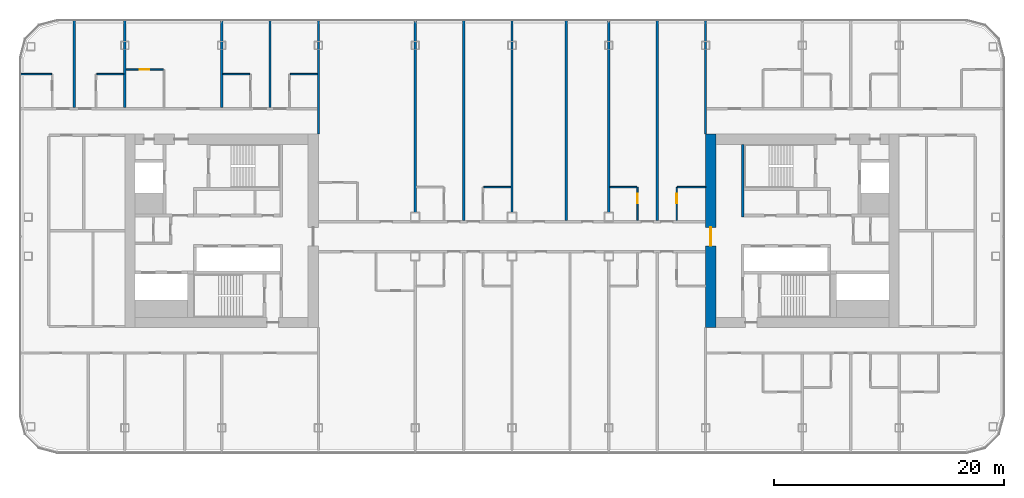
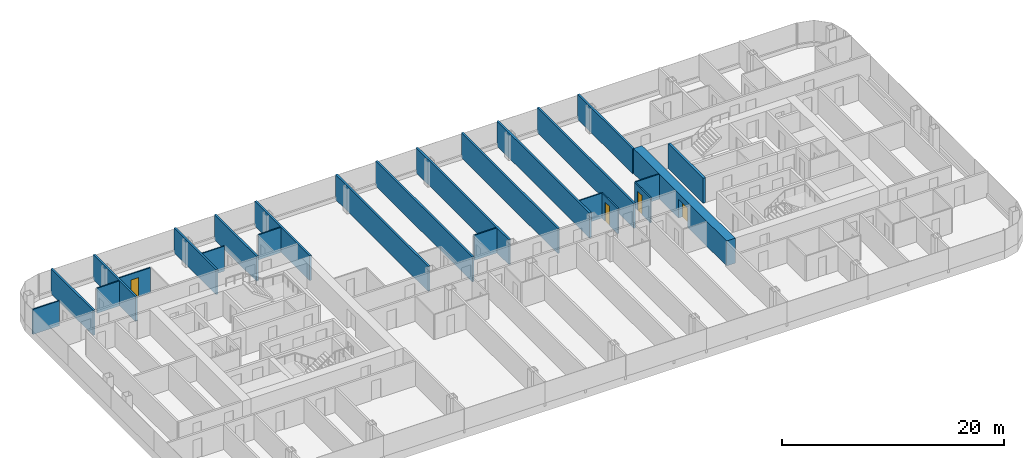
# One storey, part 15 of 26: 24 walls, 4 doors, 4 openings.
"""IFC4 building model written with IfcOpenShell, lengths in metres."""

from ifc_helpers import new_model, si_unit, direction, frame, frame_2d, origin, place, context, subcontext, project, spatial, rectangle, extrude, material, layer, layer_set, type_object, element, fill, save


model = new_model("IFC4")

# Units and contexts
model_context = context("Model", 3, precision=1e-05, world=origin(), true_north=direction((0.0, 1.0)))
body_context = subcontext(model_context, "Body", "Model", "MODEL_VIEW")
ifc_project = project(units=[si_unit("LENGTHUNIT", "METRE"), si_unit("AREAUNIT", "SQUARE_METRE"), si_unit("VOLUMEUNIT", "CUBIC_METRE"), si_unit("PLANEANGLEUNIT", "RADIAN"), si_unit("MASSUNIT", "GRAM", prefix="KILO")], contexts=[model_context])

# Site, building, storey
site_placement = place(None, origin())
site = spatial("IfcSite", under=ifc_project, at=site_placement, CompositionType="ELEMENT")
building_placement = place(site_placement, origin())
building = spatial("IfcBuilding", under=site, at=building_placement, Name="Hakoniwa Tower and Hamabe Station Hall", CompositionType="ELEMENT")
storey_placement = place(building_placement, frame((0.0, 0.0, 153.39990234375)))
storey = spatial("IfcBuildingStorey", under=building, at=storey_placement, Name="L43", CompositionType="ELEMENT", Elevation=153.39990234375)

# Walls
ifc_material_1 = material(Name="Gypsum board partition", Category="gypsum")
ifc_layer_1 = layer(ifc_material_1, 0.125)
ifc_layer_set_1 = layer_set([ifc_layer_1], Name="Bathroom Partition 125")
wall_type_1 = type_object("IfcWallType", Name="Bathroom Partition 125", PredefinedType="PARTITIONING", material=ifc_layer_set_1)
for number, where, z_axis, x_axis, name in (
    (1, (-2.4375, 3.800048828125, 0.0), (0.0, 0.0, 1.0), (1.0, 0.0, 0.0), "GW-L43-019"),
    (2, (8.5, 3.800048828125, 0.0), (0.0, 0.0, 1.0), (1.0, 0.0, 0.0), "GW-L43-020"),
):
    element("IfcWall", number, at=place(storey_placement, frame(where, z_axis=z_axis, x_axis=x_axis)), inside=storey, type_object=wall_type_1, Name=name, PredefinedType="PARTITIONING", context=body_context, shape_type="SweptSolid", body=[
        extrude(rectangle(XDim=2.33740234375, YDim=0.125, at=frame_2d((1.168701171875, 0.0))), origin(), (0.0, 0.0, 1.0), 2.75),
    ])
wall_1_placement = place(storey_placement, frame((14.362548828125, 3.800048828125, 0.0), z_axis=(0.0, 0.0, 1.0), x_axis=(1.0, 0.0, 0.0)))
element("IfcWall", 3, at=wall_1_placement, inside=storey, type_object=wall_type_1, Name="GW-L43-021", PredefinedType="PARTITIONING", context=body_context, shape_type="SweptSolid", body=[
    extrude(rectangle(XDim=2.447509765625, YDim=0.125, at=frame_2d((1.2236328125, 0.0))), origin(), (0.0, 0.0, 1.0), 2.75),
])
wall_2_placement = place(storey_placement, frame((-42.699951171875, 13.60009765625, 0.0), z_axis=(0.0, 0.0, 1.0), x_axis=(1.0, 0.0, 0.0)))
element("IfcWall", 4, at=wall_2_placement, inside=storey, type_object=wall_type_1, Name="GW-L43-027", PredefinedType="PARTITIONING", context=body_context, shape_type="SweptSolid", body=[
    extrude(rectangle(XDim=2.737548828125, YDim=0.125, at=frame_2d((1.36865234375, 0.0))), origin(), (0.0, 0.0, 1.0), 2.75),
])
for number, where, z_axis, x_axis, name in (
    (5, (-36.03759765625, 13.60009765625, 0.0), (0.0, 0.0, 1.0), (1.0, 0.0, 0.0), "GW-L43-028"),
    (6, (-25.10009765625, 13.60009765625, 0.0), (0.0, 0.0, 1.0), (1.0, 0.0, 0.0), "GW-L43-029"),
    (7, (-19.237548828125, 13.60009765625, 0.0), (0.0, 0.0, 1.0), (1.0, 0.0, 0.0), "GW-L43-030"),
):
    element("IfcWall", number, at=place(storey_placement, frame(where, z_axis=z_axis, x_axis=x_axis)), inside=storey, type_object=wall_type_1, Name=name, PredefinedType="PARTITIONING", context=body_context, shape_type="SweptSolid", body=[
        extrude(rectangle(XDim=2.337646484375, YDim=0.125, at=frame_2d((1.1689453125, 0.0))), origin(), (0.0, 0.0, 1.0), 2.75),
    ])

# Wall, opening, door
wall_3_placement = place(storey_placement, frame((-33.5, 14.0, 0.0), z_axis=(0.0, 0.0, 1.0), x_axis=(1.0, 0.0, 0.0)))
wall_3 = element("IfcWall", 8, at=wall_3_placement, inside=storey, type_object=wall_type_1, Name="GW-L43-033", PredefinedType="PARTITIONING", context=body_context, shape_type="SweptSolid", body=[
    extrude(rectangle(XDim=3.237548828125, YDim=0.125, at=frame_2d((1.61865234375, 0.0))), origin(), (0.0, 0.0, 1.0), 2.75),
])
opening_1_placement = place(wall_3_placement, frame((1.199951171875, 0.0, 0.0)))
opening_1 = element("IfcOpeningElement", 9, at=opening_1_placement, cuts=wall_3, Name="Opening GD-G3C1-45", PredefinedType="OPENING", context=body_context, shape_type="SweptSolid", body=[
    extrude(rectangle(XDim=0.800048828125, YDim=2.10009765625, at=frame_2d((0.39990234375, 1.050048828125))), frame((0.0, 0.072509765625, 0.0), z_axis=(0.0, -1.0, 0.0), x_axis=(1.0, 0.0, 0.0)), (0.0, 0.0, 1.0), 0.14501953125),
])
ifc_material_2 = material(Name="Timber door leaf", Category="wood")
door_type_1 = type_object("IfcDoorType", Name="Bathroom Door 800", OperationType="SINGLE_SWING_LEFT", PredefinedType="DOOR", material=ifc_material_2)
door_1_placement = place(opening_1_placement, origin())
door_1 = element("IfcDoor", 10, at=door_1_placement, inside=storey, type_object=door_type_1, Name="Door GD-G3C1-45", OperationType="SINGLE_SWING_LEFT", OverallHeight=2.10009765625, OverallWidth=0.800048828125, PredefinedType="DOOR", context=body_context, shape_type="SweptSolid", body=[
    extrude(rectangle(XDim=0.800048828125, YDim=2.10009765625, at=frame_2d((0.39990234375, 1.050048828125))), frame((0.0, 0.02490234375, 0.0), z_axis=(0.0, -1.0, 0.0), x_axis=(1.0, 0.0, 0.0)), (0.0, 0.0, 1.0), 0.050048828125),
])
fill(opening_1, door_1)

wall_4_placement = place(storey_placement, frame((10.89990234375, 0.89990234375, 0.0), z_axis=(0.0, 0.0, 1.0), x_axis=(0.0, 1.0, 0.0)))
wall_4 = element("IfcWall", 11, at=wall_4_placement, inside=storey, type_object=wall_type_1, Name="GW-L43-071", PredefinedType="PARTITIONING", context=body_context, shape_type="SweptSolid", body=[
    extrude(rectangle(XDim=2.900146484375, YDim=0.125, at=frame_2d((1.4501953125, 0.0))), origin(), (0.0, 0.0, 1.0), 2.75),
])
opening_2_placement = place(wall_4_placement, frame((1.5, 0.0, 0.0)))
opening_2 = element("IfcOpeningElement", 12, at=opening_2_placement, cuts=wall_4, Name="Opening GD-G3C1-57", PredefinedType="OPENING", context=body_context, shape_type="SweptSolid", body=[
    extrude(rectangle(XDim=0.800048828125, YDim=2.10009765625, at=frame_2d((0.39990234375, 1.050048828125))), frame((0.0, 0.072509765625, 0.0), z_axis=(0.0, -1.0, 0.0), x_axis=(1.0, 0.0, 0.0)), (0.0, 0.0, 1.0), 0.14501953125),
])
door_2_placement = place(opening_2_placement, origin())
door_2 = element("IfcDoor", 13, at=door_2_placement, inside=storey, type_object=door_type_1, Name="Door GD-G3C1-57", OperationType="SINGLE_SWING_LEFT", OverallHeight=2.10009765625, OverallWidth=0.800048828125, PredefinedType="DOOR", context=body_context, shape_type="SweptSolid", body=[
    extrude(rectangle(XDim=0.800048828125, YDim=2.10009765625, at=frame_2d((0.39990234375, 1.050048828125))), frame((0.0, 0.02490234375, 0.0), z_axis=(0.0, -1.0, 0.0), x_axis=(1.0, 0.0, 0.0)), (0.0, 0.0, 1.0), 0.050048828125),
])
fill(opening_2, door_2)

wall_5_placement = place(storey_placement, frame((14.300048828125, 0.89990234375, 0.0), z_axis=(0.0, 0.0, 1.0), x_axis=(0.0, 1.0, 0.0)))
wall_5 = element("IfcWall", 14, at=wall_5_placement, inside=storey, type_object=wall_type_1, Name="GW-L43-075", PredefinedType="PARTITIONING", context=body_context, shape_type="SweptSolid", body=[
    extrude(rectangle(XDim=2.900146484375, YDim=0.125, at=frame_2d((1.4501953125, 0.0))), origin(), (0.0, 0.0, 1.0), 2.75),
])
opening_3_placement = place(wall_5_placement, frame((1.5, 0.0, 0.0)))
opening_3 = element("IfcOpeningElement", 15, at=opening_3_placement, cuts=wall_5, Name="Opening GD-G3C1-59", PredefinedType="OPENING", context=body_context, shape_type="SweptSolid", body=[
    extrude(rectangle(XDim=0.800048828125, YDim=2.10009765625, at=frame_2d((0.39990234375, 1.050048828125))), frame((0.0, 0.072509765625, 0.0), z_axis=(0.0, -1.0, 0.0), x_axis=(1.0, 0.0, 0.0)), (0.0, 0.0, 1.0), 0.14501953125),
])
door_3_placement = place(opening_3_placement, origin())
door_3 = element("IfcDoor", 16, at=door_3_placement, inside=storey, type_object=door_type_1, Name="Door GD-G3C1-59", OperationType="SINGLE_SWING_RIGHT", OverallHeight=2.10009765625, OverallWidth=0.800048828125, PredefinedType="DOOR", context=body_context, shape_type="SweptSolid", body=[
    extrude(rectangle(XDim=0.800048828125, YDim=2.10009765625, at=frame_2d((0.39990234375, 1.050048828125))), frame((0.0, 0.02490234375, 0.0), z_axis=(0.0, -1.0, 0.0), x_axis=(1.0, 0.0, 0.0)), (0.0, 0.0, 1.0), 0.050048828125),
])
fill(opening_3, door_3)

ifc_material_3 = material(Name="Concrete C66", Category="concrete")
ifc_layer_2 = layer(ifc_material_3, 0.89990234375)
ifc_layer_set_2 = layer_set([ifc_layer_2], Name="CORE WALL 900 C66")
wall_type_2 = type_object("IfcWallType", Name="CORE WALL 900 C66", PredefinedType="SHEAR", material=ifc_layer_set_2)
wall_6_placement = place(storey_placement, frame((17.25, -8.39990234375, 0.0), z_axis=(0.0, 0.0, 1.0), x_axis=(0.0, 1.0, 0.0)))
wall_6 = element("IfcWall", 17, at=wall_6_placement, inside=storey, type_object=wall_type_2, Name="Core wall INNER east", PredefinedType="SHEAR", context=body_context, shape_type="SweptSolid", body=[
    extrude(rectangle(XDim=16.7998046875, YDim=0.89990234375, at=frame_2d((8.39990234375, 0.0))), origin(), (0.0, 0.0, 1.0), 2.75),
])
opening_4_placement = place(wall_6_placement, frame((7.10009765625, 0.0, 0.0)))
opening_4 = element("IfcOpeningElement", 18, at=opening_4_placement, cuts=wall_6, Name="Opening CD-E-IN1-16", PredefinedType="OPENING", context=body_context, shape_type="SweptSolid", body=[
    extrude(rectangle(XDim=1.60009765625, YDim=2.10009765625, at=frame_2d((0.800048828125, 1.050048828125))), frame((0.0, 0.4599609375, 0.0), z_axis=(0.0, -1.0, 0.0), x_axis=(1.0, 0.0, 0.0)), (0.0, 0.0, 1.0), 0.919921875),
])
ifc_material_4 = material(Name="Steel fire door", Category="steel")
door_type_2 = type_object("IfcDoorType", Name="CORE DOOR 1600 FD60", OperationType="DOUBLE_DOOR_SINGLE_SWING", PredefinedType="DOOR", material=ifc_material_4)
door_4_placement = place(opening_4_placement, origin())
door_4 = element("IfcDoor", 19, at=door_4_placement, inside=storey, type_object=door_type_2, Name="Lift lobby door", OperationType="DOUBLE_DOOR_SINGLE_SWING", OverallHeight=2.10009765625, OverallWidth=1.60009765625, PredefinedType="DOOR", context=body_context, shape_type="SweptSolid", body=[
    extrude(rectangle(XDim=1.60009765625, YDim=2.10009765625, at=frame_2d((0.800048828125, 1.050048828125))), frame((0.0, 0.02490234375, 0.0), z_axis=(0.0, -1.0, 0.0), x_axis=(1.0, 0.0, 0.0)), (0.0, 0.0, 1.0), 0.050048828125),
])
fill(opening_4, door_4)

# Walls
ifc_material_5 = material(Name="Concrete C66", Category="concrete")
ifc_layer_3 = layer(ifc_material_5, 0.25)
ifc_layer_set_3 = layer_set([ifc_layer_3], Name="CORE WEB WALL 250 C66")
wall_type_3 = type_object("IfcWallType", Name="CORE WEB WALL 250 C66", PredefinedType="SHEAR", material=ifc_layer_set_3)
wall_7_placement = place(storey_placement, frame((20.02490234375, 1.199951171875, 0.0), z_axis=(0.0, 0.0, 1.0), x_axis=(0.0, 1.0, 0.0)))
element("IfcWall", 20, at=wall_7_placement, inside=storey, type_object=wall_type_3, Name="Core wall W1N east", PredefinedType="SHEAR", context=body_context, shape_type="SweptSolid", body=[
    extrude(rectangle(XDim=6.300048828125, YDim=0.25, at=frame_2d((3.14990234375, 0.0))), origin(), (0.0, 0.0, 1.0), 2.75),
])
ifc_material_6 = material(Name="Fire-rated gypsum board partition", Category="gypsum")
ifc_layer_4 = layer(ifc_material_6, 0.199951171875)
ifc_layer_set_4 = layer_set([ifc_layer_4], Name="Party Wall 200")
wall_type_4 = type_object("IfcWallType", Name="Party Wall 200", PredefinedType="PARTITIONING", material=ifc_layer_set_4)
for number, where, z_axis, x_axis, name in (
    (21, (-38.0, 10.699951171875, 0.0), (0.0, 0.0, 1.0), (0.0, 1.0, 0.0), "GW-L43-038"),
    (22, (-33.60009765625, 10.699951171875, 0.0), (0.0, 0.0, 1.0), (0.0, 1.0, 0.0), "GW-L43-044"),
    (23, (-25.199951171875, 10.699951171875, 0.0), (0.0, 0.0, 1.0), (0.0, 1.0, 0.0), "GW-L43-048"),
    (24, (-21.0, 10.699951171875, 0.0), (0.0, 0.0, 1.0), (0.0, 1.0, 0.0), "GW-L43-050"),
):
    element("IfcWall", number, at=place(storey_placement, frame(where, z_axis=z_axis, x_axis=x_axis)), inside=storey, type_object=wall_type_4, Name=name, PredefinedType="PARTITIONING", context=body_context, shape_type="SweptSolid", body=[
        extrude(rectangle(XDim=7.60009765625, YDim=0.199951171875, at=frame_2d((3.800048828125, 0.0))), origin(), (0.0, 0.0, 1.0), 2.75),
    ])
wall_8_placement = place(storey_placement, frame((-16.800048828125, 8.389892578125, 0.0), z_axis=(0.0, 0.0, 1.0), x_axis=(0.0, 1.0, 0.0)))
element("IfcWall", 25, at=wall_8_placement, inside=storey, type_object=wall_type_4, Name="GW-L43-053", PredefinedType="PARTITIONING", context=body_context, shape_type="SweptSolid", body=[
    extrude(rectangle(XDim=9.91015625, YDim=0.199951171875, at=frame_2d((4.955078125, 0.0))), origin(), (0.0, 0.0, 1.0), 2.75),
])
wall_9_placement = place(storey_placement, frame((-8.39990234375, 1.590087890625, 0.0), z_axis=(0.0, 0.0, 1.0), x_axis=(0.0, 1.0, 0.0)))
element("IfcWall", 26, at=wall_9_placement, inside=storey, type_object=wall_type_4, Name="GW-L43-057", PredefinedType="PARTITIONING", context=body_context, shape_type="SweptSolid", body=[
    extrude(rectangle(XDim=16.7099609375, YDim=0.199951171875, at=frame_2d((8.35498046875, 0.0))), origin(), (0.0, 0.0, 1.0), 2.75),
])
wall_10_placement = place(storey_placement, frame((-4.199951171875, 0.89990234375, 0.0), z_axis=(0.0, 0.0, 1.0), x_axis=(0.0, 1.0, 0.0)))
element("IfcWall", 27, at=wall_10_placement, inside=storey, type_object=wall_type_4, Name="GW-L43-061", PredefinedType="PARTITIONING", context=body_context, shape_type="SweptSolid", body=[
    extrude(rectangle(XDim=17.400146484375, YDim=0.199951171875, at=frame_2d((8.7001953125, 0.0))), origin(), (0.0, 0.0, 1.0), 2.75),
])
wall_11_placement = place(storey_placement, frame((0.0, 1.590087890625, 0.0), z_axis=(0.0, 0.0, 1.0), x_axis=(0.0, 1.0, 0.0)))
element("IfcWall", 28, at=wall_11_placement, inside=storey, type_object=wall_type_4, Name="GW-L43-065", PredefinedType="PARTITIONING", context=body_context, shape_type="SweptSolid", body=[
    extrude(rectangle(XDim=16.7099609375, YDim=0.199951171875, at=frame_2d((8.35498046875, 0.0))), origin(), (0.0, 0.0, 1.0), 2.75),
])
wall_12_placement = place(storey_placement, frame((4.699951171875, 0.89990234375, 0.0), z_axis=(0.0, 0.0, 1.0), x_axis=(0.0, 1.0, 0.0)))
element("IfcWall", 29, at=wall_12_placement, inside=storey, type_object=wall_type_4, Name="GW-L43-066", PredefinedType="PARTITIONING", context=body_context, shape_type="SweptSolid", body=[
    extrude(rectangle(XDim=17.400146484375, YDim=0.199951171875, at=frame_2d((8.7001953125, 0.0))), origin(), (0.0, 0.0, 1.0), 2.75),
])
wall_13_placement = place(storey_placement, frame((8.39990234375, 1.590087890625, 0.0), z_axis=(0.0, 0.0, 1.0), x_axis=(0.0, 1.0, 0.0)))
element("IfcWall", 30, at=wall_13_placement, inside=storey, type_object=wall_type_4, Name="GW-L43-069", PredefinedType="PARTITIONING", context=body_context, shape_type="SweptSolid", body=[
    extrude(rectangle(XDim=16.7099609375, YDim=0.199951171875, at=frame_2d((8.35498046875, 0.0))), origin(), (0.0, 0.0, 1.0), 2.75),
])
wall_14_placement = place(storey_placement, frame((12.60009765625, 0.89990234375, 0.0), z_axis=(0.0, 0.0, 1.0), x_axis=(0.0, 1.0, 0.0)))
element("IfcWall", 31, at=wall_14_placement, inside=storey, type_object=wall_type_4, Name="GW-L43-073", PredefinedType="PARTITIONING", context=body_context, shape_type="SweptSolid", body=[
    extrude(rectangle(XDim=17.400146484375, YDim=0.199951171875, at=frame_2d((8.7001953125, 0.0))), origin(), (0.0, 0.0, 1.0), 2.75),
])
wall_15_placement = place(storey_placement, frame((16.800048828125, 8.389892578125, 0.0), z_axis=(0.0, 0.0, 1.0), x_axis=(0.0, 1.0, 0.0)))
element("IfcWall", 32, at=wall_15_placement, inside=storey, type_object=wall_type_4, Name="GW-L43-077", PredefinedType="PARTITIONING", context=body_context, shape_type="SweptSolid", body=[
    extrude(rectangle(XDim=9.91015625, YDim=0.199951171875, at=frame_2d((4.955078125, 0.0))), origin(), (0.0, 0.0, 1.0), 2.75),
])

save(model, "model.ifc")
